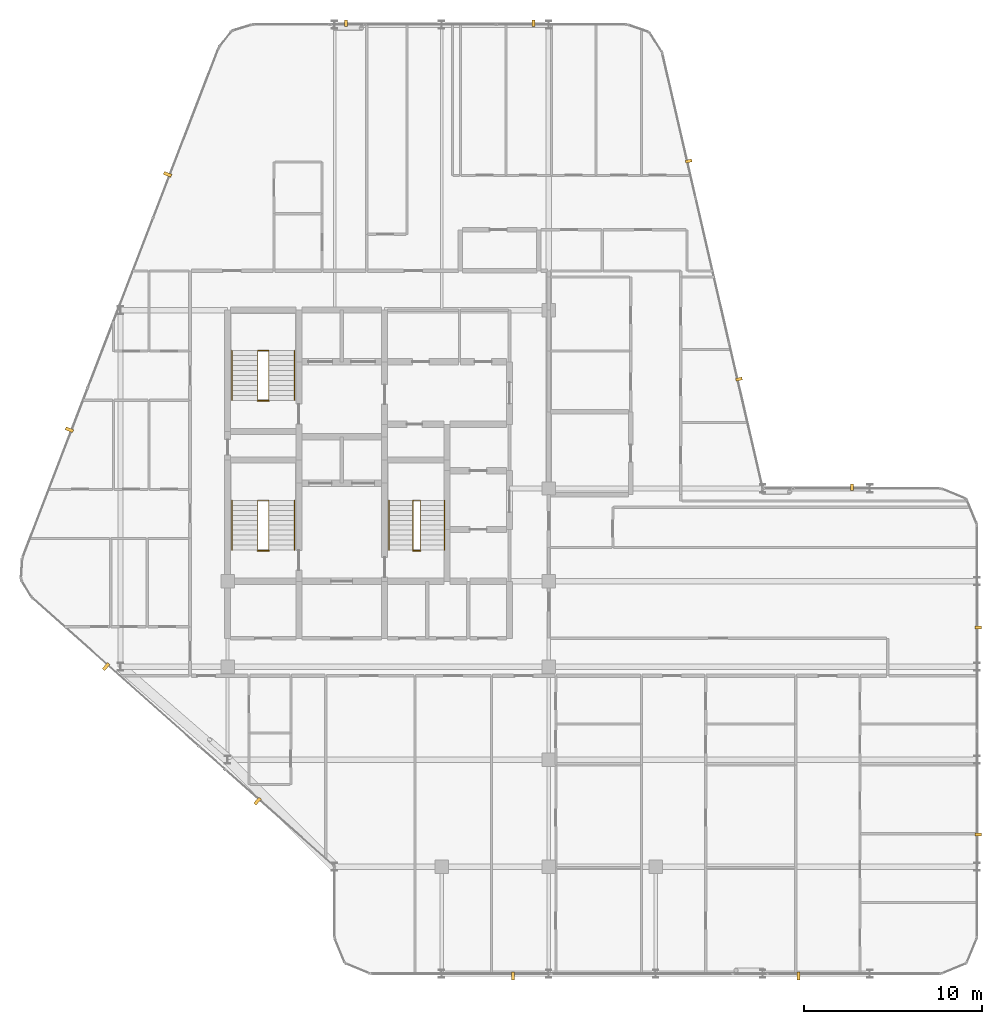
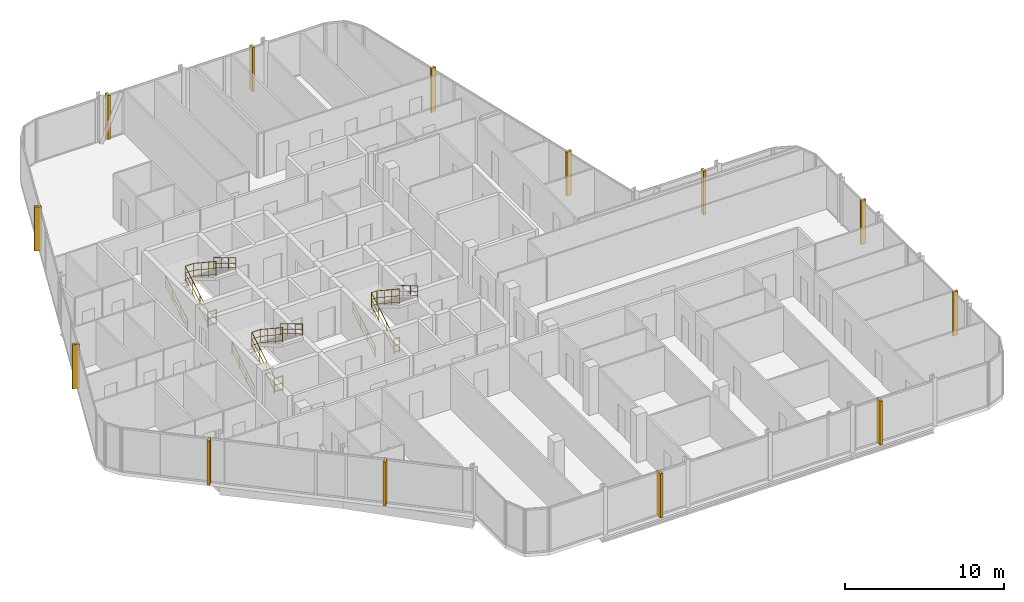
# One storey, part 29 of 29: 13 coverings, 12 railings.
"""IFC4 building model written with IfcOpenShell, lengths in metres."""

from ifc_helpers import new_model, si_unit, direction, frame, origin, origin_2d, place, context, subcontext, project, spatial, rectangle, circle, extrude, material, layer, layer_set, type_object, element, save


model = new_model("IFC4")

# Units and contexts
model_context = context("Model", 3, precision=1e-05, world=origin(), true_north=direction((0.0, 1.0)))
body_context = subcontext(model_context, "Body", "Model", "MODEL_VIEW")
ifc_project = project(units=[si_unit("LENGTHUNIT", "METRE"), si_unit("AREAUNIT", "SQUARE_METRE"), si_unit("VOLUMEUNIT", "CUBIC_METRE"), si_unit("PLANEANGLEUNIT", "RADIAN"), si_unit("MASSUNIT", "GRAM", prefix="KILO")], contexts=[model_context])

# Site, building, storey
site_placement = place(None, origin())
site = spatial("IfcSite", under=ifc_project, at=site_placement, CompositionType="ELEMENT")
building_placement = place(site_placement, origin())
building = spatial("IfcBuilding", under=site, at=building_placement, Name="Keshet Zoharim Tower", CompositionType="ELEMENT")
storey_placement = place(building_placement, frame((0.0, 0.0, 226.5)))
storey = spatial("IfcBuildingStorey", under=building, at=storey_placement, Name="L56", CompositionType="ELEMENT", Elevation=226.5)

# Coverings
ifc_material_1 = material(Name="Concrete C50/60 precast", Category="concrete")
covering_type_1 = type_object("IfcCoveringType", Name="FIN-SOL-360", PredefinedType="CLADDING", material=ifc_material_1)
for number, where, z_axis, x_axis, name in (
    (1, (57.080078125, 20.10009765625, 0.0), (0.0, 0.0, 1.0), (0.0, -1.0, 0.0), "L56 Vertical Precast Solar Fin 01"),
    (2, (57.080078125, 8.5, 0.0), (0.0, 0.0, 1.0), (0.0, -1.0, 0.0), "L56 Vertical Precast Solar Fin 02"),
    (3, (21.633056640625, 53.97998046875, 0.0), (0.0, 0.0, 1.0), (1.0, 0.0, 0.0), "L56 Vertical Precast Solar Fin 09"),
    (4, (32.14990234375, 53.97998046875, 0.0), (0.0, 0.0, 1.0), (1.0, 0.0, 0.0), "L56 Vertical Precast Solar Fin 10"),
    (5, (40.845947265625, 46.2548828125, 0.0), (0.0, 0.0, 1.0), (0.224847864369, -0.974393882313, 0.0), "L56 Vertical Precast Solar Fin 11"),
    (6, (43.6669921875, 34.030029296875, 0.0), (0.0, 0.0, 1.0), (0.224847864369, -0.974393882313, 0.0), "L56 Vertical Precast Solar Fin 12"),
    (7, (50.0, 27.97998046875, 0.0), (0.0, 0.0, 1.0), (1.0, 0.0, 0.0), "L56 Vertical Precast Solar Fin 13"),
):
    element("IfcCovering", number, at=place(storey_placement, frame(where, z_axis=z_axis, x_axis=x_axis)), inside=storey, type_object=covering_type_1, Name=name, PredefinedType="CLADDING", context=body_context, shape_type="SweptSolid", body=[
        extrude(rectangle(XDim=0.159912109375, YDim=0.360107421875, at=origin_2d()), origin(), (0.0, 0.0, 1.0), 3.389892578125),
    ])
covering_type_2 = type_object("IfcCoveringType", Name="FIN-SOL-450", PredefinedType="CLADDING", material=ifc_material_1)
for number, where, z_axis, x_axis, name in (
    (8, (47.0, 0.574951171875, 0.0), (0.0, 0.0, 1.0), (-1.0, 0.0, 0.0), "L56 Vertical Precast Solar Fin 03"),
    (9, (31.0, 0.574951171875, 0.0), (0.0, 0.0, 1.0), (-1.0, 0.0, 0.0), "L56 Vertical Precast Solar Fin 04"),
    (10, (16.676025390625, 10.376953125, 0.0), (0.0, 0.0, 1.0), (-0.747409318679, 0.664363838836, 0.0), "L56 Vertical Precast Solar Fin 05"),
    (11, (8.193115234375, 17.9169921875, 0.0), (0.0, 0.0, 1.0), (-0.747409318679, 0.664363838836, 0.0), "L56 Vertical Precast Solar Fin 06"),
    (12, (6.133056640625, 31.194091796875, 0.0), (0.0, 0.0, 1.0), (0.358990003907, 0.933341404361, 0.0), "L56 Vertical Precast Solar Fin 07"),
    (13, (11.637939453125, 45.507080078125, 0.0), (0.0, 0.0, 1.0), (0.358990003907, 0.933341404361, 0.0), "L56 Vertical Precast Solar Fin 08"),
):
    element("IfcCovering", number, at=place(storey_placement, frame(where, z_axis=z_axis, x_axis=x_axis)), inside=storey, type_object=covering_type_2, Name=name, PredefinedType="CLADDING", context=body_context, shape_type="SweptSolid", body=[
        extrude(rectangle(XDim=0.179931640625, YDim=0.449951171875, at=origin_2d()), origin(), (0.0, 0.0, 1.0), 3.389892578125),
    ])

# Railings
ifc_material_2 = material(Name="Steel S355", Category="steel")
ifc_layer_1 = layer(ifc_material_2, 0.050048828125)
ifc_layer_set_1 = layer_set([ifc_layer_1], Name="Steel S355")
railing_type_1 = type_object("IfcRailingType", Name="RL-HND-092", PredefinedType="HANDRAIL", material=ifc_layer_set_1)
railing_1_placement = place(storey_placement, frame((15.239990234375, 24.43994140625, 0.168212890625)))
element("IfcRailing", 14, at=railing_1_placement, inside=storey, type_object=railing_type_1, Name="L56 ST-01 Flight 1 Wall Handrail", PredefinedType="HANDRAIL", context=body_context, shape_type="SweptSolid", body=[
    extrude(circle(Radius=0.02392578125, at=origin_2d()), frame((0.0, 0.0, 0.89599609375), z_axis=(0.0, 0.857242210791, 0.514913383045), x_axis=(-1.0, 0.0, 0.0)), (0.0, 0.0, 1.0), 3.266357421875),
    extrude(circle(Radius=0.01611328125, at=origin_2d()), frame((0.0, 0.0, 0.478271484375), z_axis=(0.0, 0.857242210791, 0.514913383045), x_axis=(-1.0, 0.0, 0.0)), (0.0, 0.0, 1.0), 3.266357421875),
    extrude(circle(Radius=0.01611328125, at=origin_2d()), frame((0.0, 0.0, 0.1201171875), z_axis=(0.0, 0.857242210791, 0.514913383045), x_axis=(-1.0, 0.0, 0.0)), (0.0, 0.0, 1.0), 3.266357421875),
    extrude(circle(Radius=0.02099609375, at=origin_2d()), origin(), (0.0, 0.0, 1.0), 0.871826171875),
    extrude(circle(Radius=0.02099609375, at=origin_2d()), frame((0.0, 0.933349609375, 0.560546875)), (0.0, 0.0, 1.0), 0.871826171875),
    extrude(circle(Radius=0.02099609375, at=origin_2d()), frame((0.0, 1.86669921875, 1.121337890625)), (0.0, 0.0, 1.0), 0.871826171875),
    extrude(circle(Radius=0.02099609375, at=origin_2d()), frame((0.0, 2.800048828125, 1.681884765625)), (0.0, 0.0, 1.0), 0.871826171875),
])
railing_2_placement = place(storey_placement, frame((18.760009765625, 27.239990234375, 2.018310546875)))
element("IfcRailing", 15, at=railing_2_placement, inside=storey, type_object=railing_type_1, Name="L56 ST-01 Flight 2 Wall Handrail", PredefinedType="HANDRAIL", context=body_context, shape_type="SweptSolid", body=[
    extrude(circle(Radius=0.02392578125, at=origin_2d()), frame((0.0, 0.0, 0.89599609375), z_axis=(0.0, -0.857275202839, 0.514858452973), x_axis=(1.0, 0.0, 0.0)), (0.0, 0.0, 1.0), 3.26611328125),
    extrude(circle(Radius=0.01611328125, at=origin_2d()), frame((0.0, 0.0, 0.478271484375), z_axis=(0.0, -0.857275202839, 0.514858452973), x_axis=(1.0, 0.0, 0.0)), (0.0, 0.0, 1.0), 3.26611328125),
    extrude(circle(Radius=0.01611328125, at=origin_2d()), frame((0.0, 0.0, 0.1201171875), z_axis=(0.0, -0.857275202839, 0.514858452973), x_axis=(1.0, 0.0, 0.0)), (0.0, 0.0, 1.0), 3.26611328125),
    extrude(circle(Radius=0.02099609375, at=origin_2d()), origin(), (0.0, 0.0, 1.0), 0.871826171875),
    extrude(circle(Radius=0.02099609375, at=origin_2d()), frame((0.0, -0.933349609375, 0.560546875)), (0.0, 0.0, 1.0), 0.871826171875),
    extrude(circle(Radius=0.02099609375, at=origin_2d()), frame((0.0, -1.86669921875, 1.12109375)), (0.0, 0.0, 1.0), 0.871826171875),
    extrude(circle(Radius=0.02099609375, at=origin_2d()), frame((0.0, -2.800048828125, 1.681640625)), (0.0, 0.0, 1.0), 0.871826171875),
])
railing_3_placement = place(storey_placement, frame((15.239990234375, 32.840087890625, 0.168212890625)))
element("IfcRailing", 16, at=railing_3_placement, inside=storey, type_object=railing_type_1, Name="L56 ST-02 Flight 1 Wall Handrail", PredefinedType="HANDRAIL", context=body_context, shape_type="SweptSolid", body=[
    extrude(circle(Radius=0.02392578125, at=origin_2d()), frame((0.0, 0.0, 0.89599609375), z_axis=(0.0, 0.857222391501, 0.514946377315), x_axis=(-1.0, 0.0, 0.0)), (0.0, 0.0, 1.0), 3.26611328125),
    extrude(circle(Radius=0.01611328125, at=origin_2d()), frame((0.0, 0.0, 0.478271484375), z_axis=(0.0, 0.857222391501, 0.514946377315), x_axis=(-1.0, 0.0, 0.0)), (0.0, 0.0, 1.0), 3.26611328125),
    extrude(circle(Radius=0.01611328125, at=origin_2d()), frame((0.0, 0.0, 0.1201171875), z_axis=(0.0, 0.857222391501, 0.514946377315), x_axis=(-1.0, 0.0, 0.0)), (0.0, 0.0, 1.0), 3.26611328125),
    extrude(circle(Radius=0.02099609375, at=origin_2d()), origin(), (0.0, 0.0, 1.0), 0.871826171875),
    extrude(circle(Radius=0.02099609375, at=origin_2d()), frame((0.0, 0.933349609375, 0.560546875)), (0.0, 0.0, 1.0), 0.871826171875),
    extrude(circle(Radius=0.02099609375, at=origin_2d()), frame((0.0, 1.866455078125, 1.121337890625)), (0.0, 0.0, 1.0), 0.871826171875),
    extrude(circle(Radius=0.02099609375, at=origin_2d()), frame((0.0, 2.7998046875, 1.681884765625)), (0.0, 0.0, 1.0), 0.871826171875),
])
railing_4_placement = place(storey_placement, frame((18.760009765625, 35.639892578125, 2.018310546875)))
element("IfcRailing", 17, at=railing_4_placement, inside=storey, type_object=railing_type_1, Name="L56 ST-02 Flight 2 Wall Handrail", PredefinedType="HANDRAIL", context=body_context, shape_type="SweptSolid", body=[
    extrude(circle(Radius=0.02392578125, at=origin_2d()), frame((0.0, 0.0, 0.89599609375), z_axis=(0.0, -0.857255387014, 0.514891446264), x_axis=(1.0, 0.0, 0.0)), (0.0, 0.0, 1.0), 3.26611328125),
    extrude(circle(Radius=0.01611328125, at=origin_2d()), frame((0.0, 0.0, 0.478271484375), z_axis=(0.0, -0.857255387014, 0.514891446264), x_axis=(1.0, 0.0, 0.0)), (0.0, 0.0, 1.0), 3.26611328125),
    extrude(circle(Radius=0.01611328125, at=origin_2d()), frame((0.0, 0.0, 0.1201171875), z_axis=(0.0, -0.857255387014, 0.514891446264), x_axis=(1.0, 0.0, 0.0)), (0.0, 0.0, 1.0), 3.26611328125),
    extrude(circle(Radius=0.02099609375, at=origin_2d()), origin(), (0.0, 0.0, 1.0), 0.871826171875),
    extrude(circle(Radius=0.02099609375, at=origin_2d()), frame((0.0, -0.933349609375, 0.560546875)), (0.0, 0.0, 1.0), 0.871826171875),
    extrude(circle(Radius=0.02099609375, at=origin_2d()), frame((0.0, -1.866455078125, 1.12109375)), (0.0, 0.0, 1.0), 0.871826171875),
    extrude(circle(Radius=0.02099609375, at=origin_2d()), frame((0.0, -2.7998046875, 1.681640625)), (0.0, 0.0, 1.0), 0.871826171875),
])
railing_5_placement = place(storey_placement, frame((24.0400390625, 24.43994140625, 0.168212890625)))
element("IfcRailing", 18, at=railing_5_placement, inside=storey, type_object=railing_type_1, Name="L56 ST-03 Flight 1 Wall Handrail", PredefinedType="HANDRAIL", context=body_context, shape_type="SweptSolid", body=[
    extrude(circle(Radius=0.02392578125, at=origin_2d()), frame((0.0, 0.0, 0.89599609375), z_axis=(0.0, 0.857242210791, 0.514913383045), x_axis=(-1.0, 0.0, 0.0)), (0.0, 0.0, 1.0), 3.266357421875),
    extrude(circle(Radius=0.01611328125, at=origin_2d()), frame((0.0, 0.0, 0.478271484375), z_axis=(0.0, 0.857242210791, 0.514913383045), x_axis=(-1.0, 0.0, 0.0)), (0.0, 0.0, 1.0), 3.266357421875),
    extrude(circle(Radius=0.01611328125, at=origin_2d()), frame((0.0, 0.0, 0.1201171875), z_axis=(0.0, 0.857242210791, 0.514913383045), x_axis=(-1.0, 0.0, 0.0)), (0.0, 0.0, 1.0), 3.266357421875),
    extrude(circle(Radius=0.02099609375, at=origin_2d()), origin(), (0.0, 0.0, 1.0), 0.871826171875),
    extrude(circle(Radius=0.02099609375, at=origin_2d()), frame((0.0, 0.933349609375, 0.560546875)), (0.0, 0.0, 1.0), 0.871826171875),
    extrude(circle(Radius=0.02099609375, at=origin_2d()), frame((0.0, 1.86669921875, 1.121337890625)), (0.0, 0.0, 1.0), 0.871826171875),
    extrude(circle(Radius=0.02099609375, at=origin_2d()), frame((0.0, 2.800048828125, 1.681884765625)), (0.0, 0.0, 1.0), 0.871826171875),
])
railing_6_placement = place(storey_placement, frame((27.159912109375, 27.239990234375, 2.018310546875)))
element("IfcRailing", 19, at=railing_6_placement, inside=storey, type_object=railing_type_1, Name="L56 ST-03 Flight 2 Wall Handrail", PredefinedType="HANDRAIL", context=body_context, shape_type="SweptSolid", body=[
    extrude(circle(Radius=0.02392578125, at=origin_2d()), frame((0.0, 0.0, 0.89599609375), z_axis=(0.0, -0.857275202839, 0.514858452973), x_axis=(1.0, 0.0, 0.0)), (0.0, 0.0, 1.0), 3.26611328125),
    extrude(circle(Radius=0.01611328125, at=origin_2d()), frame((0.0, 0.0, 0.478271484375), z_axis=(0.0, -0.857275202839, 0.514858452973), x_axis=(1.0, 0.0, 0.0)), (0.0, 0.0, 1.0), 3.26611328125),
    extrude(circle(Radius=0.01611328125, at=origin_2d()), frame((0.0, 0.0, 0.1201171875), z_axis=(0.0, -0.857275202839, 0.514858452973), x_axis=(1.0, 0.0, 0.0)), (0.0, 0.0, 1.0), 3.26611328125),
    extrude(circle(Radius=0.02099609375, at=origin_2d()), origin(), (0.0, 0.0, 1.0), 0.871826171875),
    extrude(circle(Radius=0.02099609375, at=origin_2d()), frame((0.0, -0.933349609375, 0.560546875)), (0.0, 0.0, 1.0), 0.871826171875),
    extrude(circle(Radius=0.02099609375, at=origin_2d()), frame((0.0, -1.86669921875, 1.12109375)), (0.0, 0.0, 1.0), 0.871826171875),
    extrude(circle(Radius=0.02099609375, at=origin_2d()), frame((0.0, -2.800048828125, 1.681640625)), (0.0, 0.0, 1.0), 0.871826171875),
])
ifc_layer_2 = layer(ifc_material_2, 0.06005859375)
ifc_layer_set_2 = layer_set([ifc_layer_2], Name="Steel S355")
railing_type_2 = type_object("IfcRailingType", Name="RL-STG-115", PredefinedType="GUARDRAIL", material=ifc_layer_set_2)
railing_7_placement = place(storey_placement, frame((16.68994140625, 24.43994140625, 0.168212890625)))
element("IfcRailing", 20, at=railing_7_placement, inside=storey, type_object=railing_type_2, Name="L56 ST-01 Inner Well Guardrail", PredefinedType="GUARDRAIL", context=body_context, shape_type="SweptSolid", body=[
    extrude(circle(Radius=0.02392578125, at=origin_2d()), frame((0.0, 0.0, 1.1259765625), z_axis=(0.0, 0.857242210791, 0.514913383045), x_axis=(-1.0, 0.0, 0.0)), (0.0, 0.0, 1.0), 3.266357421875),
    extrude(circle(Radius=0.01611328125, at=origin_2d()), frame((0.0, 0.0, 0.597900390625), z_axis=(0.0, 0.857242210791, 0.514913383045), x_axis=(-1.0, 0.0, 0.0)), (0.0, 0.0, 1.0), 3.266357421875),
    extrude(circle(Radius=0.01611328125, at=origin_2d()), frame((0.0, 0.0, 0.1201171875), z_axis=(0.0, 0.857242210791, 0.514913383045), x_axis=(-1.0, 0.0, 0.0)), (0.0, 0.0, 1.0), 3.266357421875),
    extrude(circle(Radius=0.02392578125, at=origin_2d()), frame((0.0, 2.800048828125, 2.8076171875), z_axis=(1.0, 0.0, 0.0), x_axis=(0.0, 1.0, 0.0)), (0.0, 0.0, 1.0), 0.6201171875),
    extrude(circle(Radius=0.01611328125, at=origin_2d()), frame((0.0, 2.800048828125, 2.27978515625), z_axis=(1.0, 0.0, 0.0), x_axis=(0.0, 1.0, 0.0)), (0.0, 0.0, 1.0), 0.6201171875),
    extrude(circle(Radius=0.01611328125, at=origin_2d()), frame((0.0, 2.800048828125, 1.802001953125), z_axis=(1.0, 0.0, 0.0), x_axis=(0.0, 1.0, 0.0)), (0.0, 0.0, 1.0), 0.6201171875),
    extrude(circle(Radius=0.02392578125, at=origin_2d()), frame((0.6201171875, 2.800048828125, 2.8076171875), z_axis=(0.0, -0.83435981716, 0.551220187865), x_axis=(1.0, 0.0, 0.0)), (0.0, 0.0, 1.0), 3.35595703125),
    extrude(circle(Radius=0.01611328125, at=origin_2d()), frame((0.6201171875, 2.800048828125, 2.27978515625), z_axis=(0.0, -0.83435981716, 0.551220187865), x_axis=(1.0, 0.0, 0.0)), (0.0, 0.0, 1.0), 3.35595703125),
    extrude(circle(Radius=0.01611328125, at=origin_2d()), frame((0.6201171875, 2.800048828125, 1.802001953125), z_axis=(0.0, -0.83435981716, 0.551220187865), x_axis=(1.0, 0.0, 0.0)), (0.0, 0.0, 1.0), 3.35595703125),
    extrude(circle(Radius=0.02099609375, at=origin_2d()), origin(), (0.0, 0.0, 1.0), 1.101806640625),
    extrude(circle(Radius=0.02099609375, at=origin_2d()), frame((0.0, 0.933349609375, 0.560546875)), (0.0, 0.0, 1.0), 1.101806640625),
    extrude(circle(Radius=0.02099609375, at=origin_2d()), frame((0.0, 1.86669921875, 1.121337890625)), (0.0, 0.0, 1.0), 1.101806640625),
    extrude(circle(Radius=0.02099609375, at=origin_2d()), frame((0.0, 2.800048828125, 1.681884765625)), (0.0, 0.0, 1.0), 1.101806640625),
    extrude(circle(Radius=0.02099609375, at=origin_2d()), frame((0.6201171875, 2.800048828125, 1.681884765625)), (0.0, 0.0, 1.0), 1.101806640625),
    extrude(circle(Radius=0.02099609375, at=origin_2d()), frame((0.6201171875, 1.86669921875, 2.298583984375)), (0.0, 0.0, 1.0), 1.101806640625),
    extrude(circle(Radius=0.02099609375, at=origin_2d()), frame((0.6201171875, 0.933349609375, 2.9150390625)), (0.0, 0.0, 1.0), 1.101806640625),
    extrude(circle(Radius=0.02099609375, at=origin_2d()), frame((0.6201171875, 0.0, 3.53173828125)), (0.0, 0.0, 1.0), 1.101806640625),
])
railing_8_placement = place(storey_placement, frame((16.68994140625, 24.409912109375, 0.0)))
element("IfcRailing", 21, at=railing_8_placement, inside=storey, type_object=railing_type_2, Name="L56 ST-01 Stairwell Floor Guardrail", PredefinedType="GUARDRAIL", context=body_context, shape_type="SweptSolid", body=[
    extrude(circle(Radius=0.02392578125, at=origin_2d()), frame((0.0, 0.0, 1.1259765625), z_axis=(1.0, 0.0, 0.0), x_axis=(0.0, 1.0, 0.0)), (0.0, 0.0, 1.0), 0.6201171875),
    extrude(circle(Radius=0.01611328125, at=origin_2d()), frame((0.0, 0.0, 0.597900390625), z_axis=(1.0, 0.0, 0.0), x_axis=(0.0, 1.0, 0.0)), (0.0, 0.0, 1.0), 0.6201171875),
    extrude(circle(Radius=0.01611328125, at=origin_2d()), frame((0.0, 0.0, 0.1201171875), z_axis=(1.0, 0.0, 0.0), x_axis=(0.0, 1.0, 0.0)), (0.0, 0.0, 1.0), 0.6201171875),
    extrude(circle(Radius=0.02099609375, at=origin_2d()), origin(), (0.0, 0.0, 1.0), 1.101806640625),
    extrude(circle(Radius=0.02099609375, at=origin_2d()), frame((0.6201171875, 0.0, 0.0)), (0.0, 0.0, 1.0), 1.101806640625),
])
railing_9_placement = place(storey_placement, frame((16.68994140625, 32.840087890625, 0.168212890625)))
element("IfcRailing", 22, at=railing_9_placement, inside=storey, type_object=railing_type_2, Name="L56 ST-02 Inner Well Guardrail", PredefinedType="GUARDRAIL", context=body_context, shape_type="SweptSolid", body=[
    extrude(circle(Radius=0.02392578125, at=origin_2d()), frame((0.0, 0.0, 1.1259765625), z_axis=(0.0, 0.857222391501, 0.514946377315), x_axis=(-1.0, 0.0, 0.0)), (0.0, 0.0, 1.0), 3.26611328125),
    extrude(circle(Radius=0.01611328125, at=origin_2d()), frame((0.0, 0.0, 0.597900390625), z_axis=(0.0, 0.857222391501, 0.514946377315), x_axis=(-1.0, 0.0, 0.0)), (0.0, 0.0, 1.0), 3.26611328125),
    extrude(circle(Radius=0.01611328125, at=origin_2d()), frame((0.0, 0.0, 0.1201171875), z_axis=(0.0, 0.857222391501, 0.514946377315), x_axis=(-1.0, 0.0, 0.0)), (0.0, 0.0, 1.0), 3.26611328125),
    extrude(circle(Radius=0.02392578125, at=origin_2d()), frame((0.0, 2.7998046875, 2.8076171875), z_axis=(1.0, 0.0, 0.0), x_axis=(0.0, 1.0, 0.0)), (0.0, 0.0, 1.0), 0.6201171875),
    extrude(circle(Radius=0.01611328125, at=origin_2d()), frame((0.0, 2.7998046875, 2.27978515625), z_axis=(1.0, 0.0, 0.0), x_axis=(0.0, 1.0, 0.0)), (0.0, 0.0, 1.0), 0.6201171875),
    extrude(circle(Radius=0.01611328125, at=origin_2d()), frame((0.0, 2.7998046875, 1.802001953125), z_axis=(1.0, 0.0, 0.0), x_axis=(0.0, 1.0, 0.0)), (0.0, 0.0, 1.0), 0.6201171875),
    extrude(circle(Radius=0.02392578125, at=origin_2d()), frame((0.6201171875, 2.7998046875, 2.8076171875), z_axis=(0.0, -0.834337710781, 0.551253647941), x_axis=(1.0, 0.0, 0.0)), (0.0, 0.0, 1.0), 3.355712890625),
    extrude(circle(Radius=0.01611328125, at=origin_2d()), frame((0.6201171875, 2.7998046875, 2.27978515625), z_axis=(0.0, -0.834337710781, 0.551253647941), x_axis=(1.0, 0.0, 0.0)), (0.0, 0.0, 1.0), 3.355712890625),
    extrude(circle(Radius=0.01611328125, at=origin_2d()), frame((0.6201171875, 2.7998046875, 1.802001953125), z_axis=(0.0, -0.834337710781, 0.551253647941), x_axis=(1.0, 0.0, 0.0)), (0.0, 0.0, 1.0), 3.355712890625),
    extrude(circle(Radius=0.02099609375, at=origin_2d()), origin(), (0.0, 0.0, 1.0), 1.101806640625),
    extrude(circle(Radius=0.02099609375, at=origin_2d()), frame((0.0, 0.933349609375, 0.560546875)), (0.0, 0.0, 1.0), 1.101806640625),
    extrude(circle(Radius=0.02099609375, at=origin_2d()), frame((0.0, 1.866455078125, 1.121337890625)), (0.0, 0.0, 1.0), 1.101806640625),
    extrude(circle(Radius=0.02099609375, at=origin_2d()), frame((0.0, 2.7998046875, 1.681884765625)), (0.0, 0.0, 1.0), 1.101806640625),
    extrude(circle(Radius=0.02099609375, at=origin_2d()), frame((0.6201171875, 2.7998046875, 1.681884765625)), (0.0, 0.0, 1.0), 1.101806640625),
    extrude(circle(Radius=0.02099609375, at=origin_2d()), frame((0.6201171875, 1.866455078125, 2.298583984375)), (0.0, 0.0, 1.0), 1.101806640625),
    extrude(circle(Radius=0.02099609375, at=origin_2d()), frame((0.6201171875, 0.933349609375, 2.9150390625)), (0.0, 0.0, 1.0), 1.101806640625),
    extrude(circle(Radius=0.02099609375, at=origin_2d()), frame((0.6201171875, 0.0, 3.53173828125)), (0.0, 0.0, 1.0), 1.101806640625),
])
railing_10_placement = place(storey_placement, frame((16.68994140625, 32.81005859375, 0.0)))
element("IfcRailing", 23, at=railing_10_placement, inside=storey, type_object=railing_type_2, Name="L56 ST-02 Stairwell Floor Guardrail", PredefinedType="GUARDRAIL", context=body_context, shape_type="SweptSolid", body=[
    extrude(circle(Radius=0.02392578125, at=origin_2d()), frame((0.0, 0.0, 1.1259765625), z_axis=(1.0, 0.0, 0.0), x_axis=(0.0, 1.0, 0.0)), (0.0, 0.0, 1.0), 0.6201171875),
    extrude(circle(Radius=0.01611328125, at=origin_2d()), frame((0.0, 0.0, 0.597900390625), z_axis=(1.0, 0.0, 0.0), x_axis=(0.0, 1.0, 0.0)), (0.0, 0.0, 1.0), 0.6201171875),
    extrude(circle(Radius=0.01611328125, at=origin_2d()), frame((0.0, 0.0, 0.1201171875), z_axis=(1.0, 0.0, 0.0), x_axis=(0.0, 1.0, 0.0)), (0.0, 0.0, 1.0), 0.6201171875),
    extrude(circle(Radius=0.02099609375, at=origin_2d()), origin(), (0.0, 0.0, 1.0), 1.101806640625),
    extrude(circle(Radius=0.02099609375, at=origin_2d()), frame((0.6201171875, 0.0, 0.0)), (0.0, 0.0, 1.0), 1.101806640625),
])
railing_11_placement = place(storey_placement, frame((25.39990234375, 24.43994140625, 0.168212890625)))
element("IfcRailing", 24, at=railing_11_placement, inside=storey, type_object=railing_type_2, Name="L56 ST-03 Inner Well Guardrail", PredefinedType="GUARDRAIL", context=body_context, shape_type="SweptSolid", body=[
    extrude(circle(Radius=0.02392578125, at=origin_2d()), frame((0.0, 0.0, 1.1259765625), z_axis=(0.0, 0.857242210791, 0.514913383045), x_axis=(-1.0, 0.0, 0.0)), (0.0, 0.0, 1.0), 3.266357421875),
    extrude(circle(Radius=0.01611328125, at=origin_2d()), frame((0.0, 0.0, 0.597900390625), z_axis=(0.0, 0.857242210791, 0.514913383045), x_axis=(-1.0, 0.0, 0.0)), (0.0, 0.0, 1.0), 3.266357421875),
    extrude(circle(Radius=0.01611328125, at=origin_2d()), frame((0.0, 0.0, 0.1201171875), z_axis=(0.0, 0.857242210791, 0.514913383045), x_axis=(-1.0, 0.0, 0.0)), (0.0, 0.0, 1.0), 3.266357421875),
    extrude(circle(Radius=0.02392578125, at=origin_2d()), frame((0.0, 2.800048828125, 2.8076171875), z_axis=(1.0, 0.0, 0.0), x_axis=(0.0, 1.0, 0.0)), (0.0, 0.0, 1.0), 0.400146484375),
    extrude(circle(Radius=0.01611328125, at=origin_2d()), frame((0.0, 2.800048828125, 2.27978515625), z_axis=(1.0, 0.0, 0.0), x_axis=(0.0, 1.0, 0.0)), (0.0, 0.0, 1.0), 0.400146484375),
    extrude(circle(Radius=0.01611328125, at=origin_2d()), frame((0.0, 2.800048828125, 1.802001953125), z_axis=(1.0, 0.0, 0.0), x_axis=(0.0, 1.0, 0.0)), (0.0, 0.0, 1.0), 0.400146484375),
    extrude(circle(Radius=0.02392578125, at=origin_2d()), frame((0.400146484375, 2.800048828125, 2.8076171875), z_axis=(0.0, -0.83435981716, 0.551220187865), x_axis=(1.0, 0.0, 0.0)), (0.0, 0.0, 1.0), 3.35595703125),
    extrude(circle(Radius=0.01611328125, at=origin_2d()), frame((0.400146484375, 2.800048828125, 2.27978515625), z_axis=(0.0, -0.83435981716, 0.551220187865), x_axis=(1.0, 0.0, 0.0)), (0.0, 0.0, 1.0), 3.35595703125),
    extrude(circle(Radius=0.01611328125, at=origin_2d()), frame((0.400146484375, 2.800048828125, 1.802001953125), z_axis=(0.0, -0.83435981716, 0.551220187865), x_axis=(1.0, 0.0, 0.0)), (0.0, 0.0, 1.0), 3.35595703125),
    extrude(circle(Radius=0.02099609375, at=origin_2d()), origin(), (0.0, 0.0, 1.0), 1.101806640625),
    extrude(circle(Radius=0.02099609375, at=origin_2d()), frame((0.0, 0.933349609375, 0.560546875)), (0.0, 0.0, 1.0), 1.101806640625),
    extrude(circle(Radius=0.02099609375, at=origin_2d()), frame((0.0, 1.86669921875, 1.121337890625)), (0.0, 0.0, 1.0), 1.101806640625),
    extrude(circle(Radius=0.02099609375, at=origin_2d()), frame((0.0, 2.800048828125, 1.681884765625)), (0.0, 0.0, 1.0), 1.101806640625),
    extrude(circle(Radius=0.02099609375, at=origin_2d()), frame((0.400146484375, 2.800048828125, 1.681884765625)), (0.0, 0.0, 1.0), 1.101806640625),
    extrude(circle(Radius=0.02099609375, at=origin_2d()), frame((0.400146484375, 1.86669921875, 2.298583984375)), (0.0, 0.0, 1.0), 1.101806640625),
    extrude(circle(Radius=0.02099609375, at=origin_2d()), frame((0.400146484375, 0.933349609375, 2.9150390625)), (0.0, 0.0, 1.0), 1.101806640625),
    extrude(circle(Radius=0.02099609375, at=origin_2d()), frame((0.400146484375, 0.0, 3.53173828125)), (0.0, 0.0, 1.0), 1.101806640625),
])
railing_12_placement = place(storey_placement, frame((25.39990234375, 24.409912109375, 0.0)))
element("IfcRailing", 25, at=railing_12_placement, inside=storey, type_object=railing_type_2, Name="L56 ST-03 Stairwell Floor Guardrail", PredefinedType="GUARDRAIL", context=body_context, shape_type="SweptSolid", body=[
    extrude(circle(Radius=0.02392578125, at=origin_2d()), frame((0.0, 0.0, 1.1259765625), z_axis=(1.0, 0.0, 0.0), x_axis=(0.0, 1.0, 0.0)), (0.0, 0.0, 1.0), 0.400146484375),
    extrude(circle(Radius=0.01611328125, at=origin_2d()), frame((0.0, 0.0, 0.597900390625), z_axis=(1.0, 0.0, 0.0), x_axis=(0.0, 1.0, 0.0)), (0.0, 0.0, 1.0), 0.400146484375),
    extrude(circle(Radius=0.01611328125, at=origin_2d()), frame((0.0, 0.0, 0.1201171875), z_axis=(1.0, 0.0, 0.0), x_axis=(0.0, 1.0, 0.0)), (0.0, 0.0, 1.0), 0.400146484375),
    extrude(circle(Radius=0.02099609375, at=origin_2d()), origin(), (0.0, 0.0, 1.0), 1.101806640625),
    extrude(circle(Radius=0.02099609375, at=origin_2d()), frame((0.400146484375, 0.0, 0.0)), (0.0, 0.0, 1.0), 1.101806640625),
])

save(model, "model.ifc")
